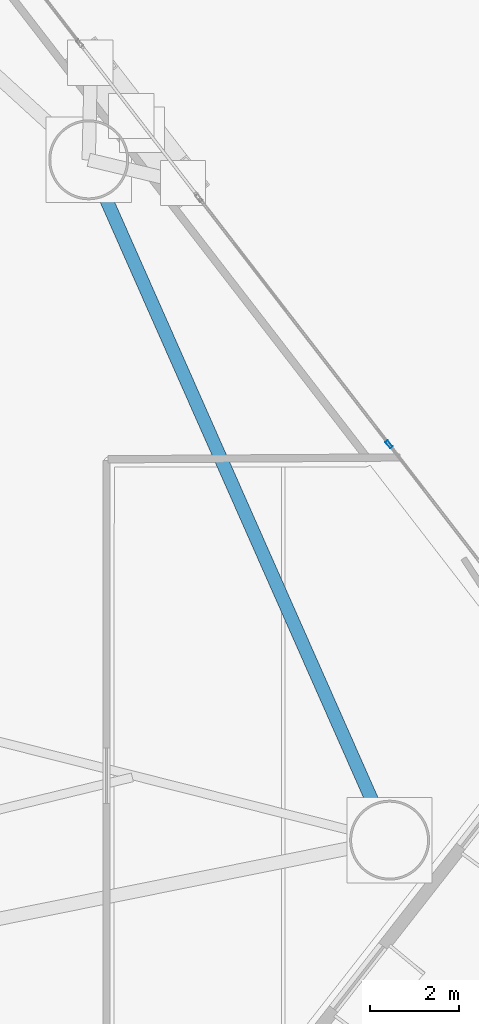
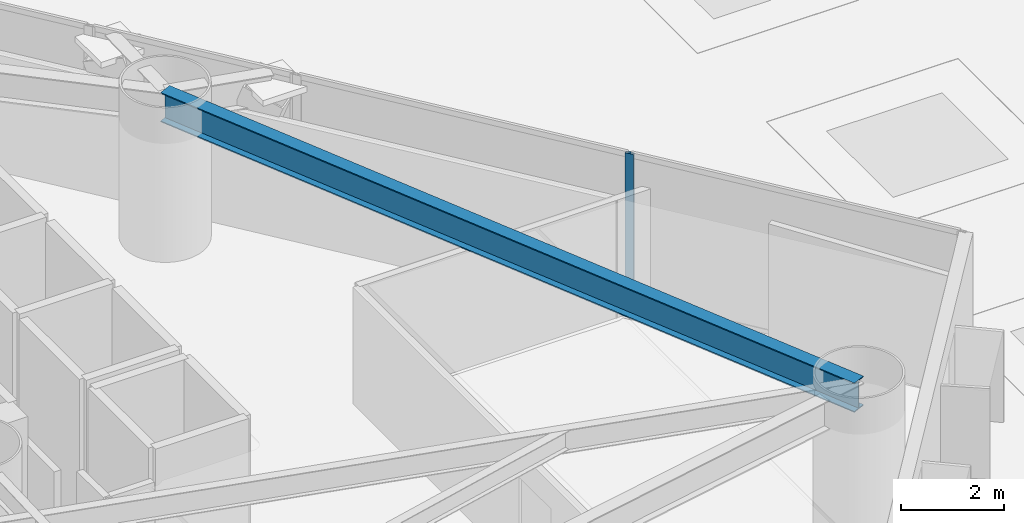
# One storey, part 11 of 22: 1 beam, 1 member, 1 element without a shape of its own.
"""IFC4 building model written with IfcOpenShell, lengths in metres."""

from ifc_helpers import new_model, si_unit, direction, frame, origin, origin_2d, place, context, subcontext, project, spatial, hollow_rectangle, i_section, extrude, material, layer, layer_set, material_profile, profile_set, type_object, element, aggregate, save


model = new_model("IFC4")

# Units and contexts
model_context = context("Model", 3, precision=1e-05, world=origin(), true_north=direction((0.0, 1.0)))
body_context = subcontext(model_context, "Body", "Model", "MODEL_VIEW")
ifc_project = project(units=[si_unit("LENGTHUNIT", "METRE"), si_unit("AREAUNIT", "SQUARE_METRE"), si_unit("VOLUMEUNIT", "CUBIC_METRE"), si_unit("PLANEANGLEUNIT", "RADIAN"), si_unit("MASSUNIT", "GRAM", prefix="KILO")], contexts=[model_context])

# Site, building, storey
site_placement = place(None, origin())
site = spatial("IfcSite", under=ifc_project, at=site_placement, CompositionType="ELEMENT")
building_placement = place(site_placement, origin())
building = spatial("IfcBuilding", under=site, at=building_placement, Name="Qianvela Tower", CompositionType="ELEMENT")
storey_placement = place(building_placement, frame((0.0, 0.0, 25.699951171875)))
storey = spatial("IfcBuildingStorey", under=building, at=storey_placement, Name="L05", CompositionType="ELEMENT", Elevation=25.699951171875)

# Beam
ifc_material_1 = material(Name="Steel Q355B", Category="steel")
ifc_material_profile_1 = material_profile(ifc_material_1, i_section(OverallWidth=0.300048828125, OverallDepth=0.699951171875, WebThickness=0.012939453125, FlangeThickness=0.02392578125, at=origin_2d()), Name="HN700x300x13x24")
ifc_profile_set_1 = profile_set([ifc_material_profile_1], Name="Steel Q355B")
beam_type = type_object("IfcBeamType", Name="BM-HN700-SPAND", PredefinedType="SPANDREL", material=ifc_profile_set_1)
beam_placement = place(storey_placement, frame((54.511962890625, 17.31689453125, 3.16796875), z_axis=(-0.404490777912, 0.914542076989, 0.0), x_axis=(-0.914542076989, -0.404490777912, 0.0)))
element("IfcBeam", 1, at=beam_placement, inside=storey, type_object=beam_type, Name="L05 Perimeter Ring Spandrel Girder 1", PredefinedType="SPANDREL", context=body_context, shape_type="SweptSolid", body=[
    extrude(i_section(OverallWidth=0.300048828125, OverallDepth=0.699951171875, WebThickness=0.012939453125, FlangeThickness=0.02392578125, at=origin_2d()), origin(), (0.0, 0.0, 1.0), 16.751708984375),
])

# Curtain wall, member
ifc_material_2 = material(Name="Anodised Architectural Aluminium and Low-E Glass", Category="aluminium")
ifc_layer = layer(ifc_material_2, 0.179931640625)
ifc_layer_set = layer_set([ifc_layer], Name="Anodised Architectural Aluminium and Low-E Glass")
curtain_wall_type = type_object("IfcCurtainWallType", Name="CW-COLIV-Z12", PredefinedType="USERDEFINED", material=ifc_layer_set)
curtain_wall_placement = place(storey_placement, origin())
curtain_wall = element("IfcCurtainWall", 2, at=curtain_wall_placement, inside=storey, type_object=curtain_wall_type, Name="L05 CW-COLIV-Z12 Curtain Wall 02A", ObjectType="CURTAIN_WALL_SYSTEM", PredefinedType="USERDEFINED")
ifc_material_3 = material(Name="Anodised Architectural Aluminium 6063-T6", Category="aluminium")
ifc_material_profile_2 = material_profile(ifc_material_3, hollow_rectangle(XDim=0.070068359375, YDim=0.179931640625, WallThickness=0.0048828125, at=origin_2d()), Name="ALU-MULL-70x180")
ifc_profile_set_2 = profile_set([ifc_material_profile_2], Name="Anodised Architectural Aluminium 6063-T6")
member_type = type_object("IfcMemberType", Name="CW-COLIV-Z12-MULL", PredefinedType="MULLION", material=ifc_profile_set_2)
member_placement = place(storey_placement, frame((54.499267578125, 26.231689453125, 0.0), z_axis=(0.0, 0.0, 1.0), x_axis=(-0.791788928882, -0.610794803596, 0.0)))
member = element("IfcMember", 3, at=member_placement, type_object=member_type, Name="CW-3 mullion 2", PredefinedType="MULLION", context=body_context, shape_type="SweptSolid", body=[
    extrude(hollow_rectangle(XDim=0.070068359375, YDim=0.179931640625, WallThickness=0.0048828125, at=origin_2d()), origin(), (0.0, 0.0, 1.0), 3.52001953125),
])
aggregate(curtain_wall, [member])

save(model, "model.ifc")
